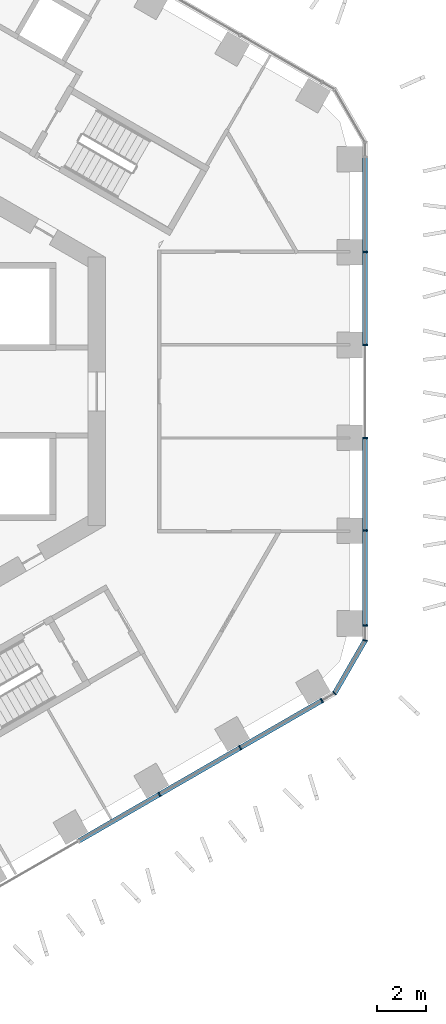
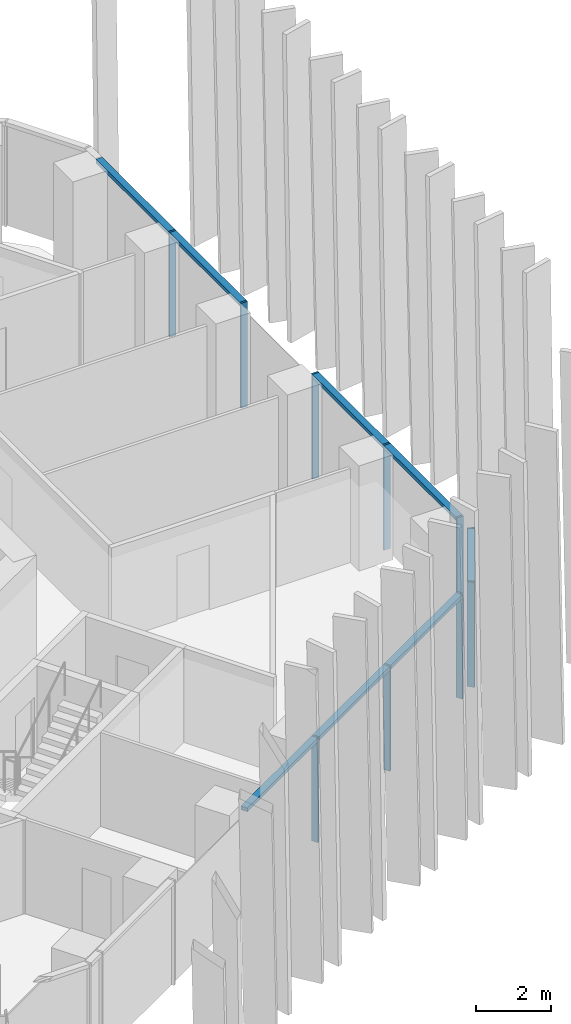
# One storey, part 4 of 18: 14 members, 3 elements without a shape of their own.
"""IFC4 building model written with IfcOpenShell, lengths in metres."""

from ifc_helpers import new_model, si_unit, direction, frame, origin, origin_2d, place, context, subcontext, project, spatial, rectangle, extrude, material, layer, layer_set, material_profile, profile_set, type_object, element, aggregate, save


model = new_model("IFC4")

# Units and contexts
model_context = context("Model", 3, precision=1e-05, world=origin(), true_north=direction((0.0, 1.0)))
body_context = subcontext(model_context, "Body", "Model", "MODEL_VIEW")
ifc_project = project(units=[si_unit("LENGTHUNIT", "METRE"), si_unit("AREAUNIT", "SQUARE_METRE"), si_unit("VOLUMEUNIT", "CUBIC_METRE"), si_unit("PLANEANGLEUNIT", "RADIAN"), si_unit("MASSUNIT", "GRAM", prefix="KILO")], contexts=[model_context])

# Site, building, storey
site_placement = place(None, origin())
site = spatial("IfcSite", under=ifc_project, at=site_placement, CompositionType="ELEMENT")
building_placement = place(site_placement, origin())
building = spatial("IfcBuilding", under=site, at=building_placement, Name="Ayvan Gate Tower", CompositionType="ELEMENT")
storey_placement = place(building_placement, frame((0.0, 0.0, 83.10009765625)))
storey = spatial("IfcBuildingStorey", under=building, at=storey_placement, Name="L21", CompositionType="ELEMENT", Elevation=83.10009765625)

# Curtain wall, members
ifc_material = material(Name="Bronze anodised aluminium", Category="aluminium")
ifc_layer_1 = layer(ifc_material, 0.199951171875)
ifc_layer_set_1 = layer_set([ifc_layer_1], Name="Bronze anodised aluminium")
curtain_wall_type_1 = type_object("IfcCurtainWallType", Name="Stick curtain wall CW-1", PredefinedType="NOTDEFINED", material=ifc_layer_set_1)
curtain_wall_1_placement = place(storey_placement, origin())
curtain_wall_1 = element("IfcCurtainWall", 1, at=curtain_wall_1_placement, inside=storey, type_object=curtain_wall_type_1, Name="Stick curtain wall CW-1 L21", PredefinedType="NOTDEFINED")
ifc_material_profile_1 = material_profile(ifc_material, rectangle(XDim=0.199951171875, YDim=0.06005859375, at=origin_2d()), Name="Stick curtain wall CW-1 mullion 200 x 60")
ifc_profile_set_1 = profile_set([ifc_material_profile_1], Name="Bronze anodised aluminium")
member_type_1 = type_object("IfcMemberType", Name="Stick curtain wall CW-1 mullion 200 x 60", PredefinedType="MULLION", material=ifc_profile_set_1)
member_1_placement = place(storey_placement, frame((11.70654296875, -16.462890625, 0.0), z_axis=(0.0, 0.0, 1.0), x_axis=(0.5, -0.866025403784, 0.0)))
member_1 = element("IfcMember", 2, at=member_1_placement, type_object=member_type_1, Name="CW-1 mullion 4", PredefinedType="MULLION", context=body_context, shape_type="SweptSolid", body=[
    extrude(rectangle(XDim=0.199951171875, YDim=0.06005859375, at=origin_2d()), origin(), (0.0, 0.0, 1.0), 3.39990234375),
])
member_2_placement = place(storey_placement, frame((15.009521484375, -14.555908203125, 0.0), z_axis=(0.0, 0.0, 1.0), x_axis=(0.5, -0.866025403784, 0.0)))
member_2 = element("IfcMember", 3, at=member_2_placement, type_object=member_type_1, Name="CW-1 mullion 5", PredefinedType="MULLION", context=body_context, shape_type="SweptSolid", body=[
    extrude(rectangle(XDim=0.199951171875, YDim=0.06005859375, at=origin_2d()), origin(), (0.0, 0.0, 1.0), 3.39990234375),
])
member_3_placement = place(storey_placement, frame((18.34326171875, -12.631103515625, 0.0), z_axis=(0.0, 0.0, 1.0), x_axis=(0.5, -0.866025403784, 0.0)))
member_3 = element("IfcMember", 4, at=member_3_placement, type_object=member_type_1, Name="CW-1 mullion 6", PredefinedType="MULLION", context=body_context, shape_type="SweptSolid", body=[
    extrude(rectangle(XDim=0.199951171875, YDim=0.06005859375, at=origin_2d()), origin(), (0.0, 0.0, 1.0), 3.39990234375),
])

curtain_wall_2_placement = place(storey_placement, origin())
curtain_wall_2 = element("IfcCurtainWall", 5, at=curtain_wall_2_placement, inside=storey, type_object=curtain_wall_type_1, Name="Stick curtain wall CW-1 L21", PredefinedType="NOTDEFINED")
member_4_placement = place(storey_placement, frame((20.110595703125, -9.5703125, 0.0), z_axis=(0.0, 0.0, 1.0), x_axis=(1.0, 0.0, 0.0)))
member_4 = element("IfcMember", 6, at=member_4_placement, type_object=member_type_1, Name="CW-1 mullion 1", PredefinedType="MULLION", context=body_context, shape_type="SweptSolid", body=[
    extrude(rectangle(XDim=0.199951171875, YDim=0.06005859375, at=origin_2d()), origin(), (0.0, 0.0, 1.0), 3.39990234375),
])
member_5_placement = place(storey_placement, frame((20.110595703125, -5.690185546875, 0.0), z_axis=(0.0, 0.0, 1.0), x_axis=(1.0, 0.0, 0.0)))
member_5 = element("IfcMember", 7, at=member_5_placement, type_object=member_type_1, Name="CW-1 mullion 2", PredefinedType="MULLION", context=body_context, shape_type="SweptSolid", body=[
    extrude(rectangle(XDim=0.199951171875, YDim=0.06005859375, at=origin_2d()), origin(), (0.0, 0.0, 1.0), 3.39990234375),
])
member_6_placement = place(storey_placement, frame((20.110595703125, -1.897216796875, 0.0), z_axis=(0.0, 0.0, 1.0), x_axis=(1.0, 0.0, 0.0)))
member_6 = element("IfcMember", 8, at=member_6_placement, type_object=member_type_1, Name="CW-1 mullion 3", PredefinedType="MULLION", context=body_context, shape_type="SweptSolid", body=[
    extrude(rectangle(XDim=0.199951171875, YDim=0.06005859375, at=origin_2d()), origin(), (0.0, 0.0, 1.0), 3.39990234375),
])
member_7_placement = place(storey_placement, frame((20.110595703125, 1.896728515625, 0.0), z_axis=(0.0, 0.0, 1.0), x_axis=(1.0, 0.0, 0.0)))
member_7 = element("IfcMember", 9, at=member_7_placement, type_object=member_type_1, Name="CW-1 mullion 4", PredefinedType="MULLION", context=body_context, shape_type="SweptSolid", body=[
    extrude(rectangle(XDim=0.199951171875, YDim=0.06005859375, at=origin_2d()), origin(), (0.0, 0.0, 1.0), 3.39990234375),
])
member_8_placement = place(storey_placement, frame((20.110595703125, 5.689697265625, 0.0), z_axis=(0.0, 0.0, 1.0), x_axis=(1.0, 0.0, 0.0)))
member_8 = element("IfcMember", 10, at=member_8_placement, type_object=member_type_1, Name="CW-1 mullion 5", PredefinedType="MULLION", context=body_context, shape_type="SweptSolid", body=[
    extrude(rectangle(XDim=0.199951171875, YDim=0.06005859375, at=origin_2d()), origin(), (0.0, 0.0, 1.0), 3.39990234375),
])

# Member
ifc_material_profile_2 = material_profile(ifc_material, rectangle(XDim=0.199951171875, YDim=0.1201171875, at=origin_2d()), Name="Stick curtain wall CW-1 transom 200 x 120")
ifc_profile_set_2 = profile_set([ifc_material_profile_2], Name="Bronze anodised aluminium")
member_type_2 = type_object("IfcMemberType", Name="Stick curtain wall CW-1 transom 200 x 120", PredefinedType="USERDEFINED", material=ifc_profile_set_2)
member_9_placement = place(storey_placement, frame((8.429443359375, -18.35498046875, 3.33984375), z_axis=(0.866020438933, 0.500008599276, 0.0), x_axis=(-0.500008599276, 0.866020438933, 0.0)))
member_9 = element("IfcMember", 11, at=member_9_placement, type_object=member_type_2, Name="CW-1 transom 2", ObjectType="TRANSOM", PredefinedType="USERDEFINED", context=body_context, shape_type="SweptSolid", body=[
    extrude(rectangle(XDim=0.199951171875, YDim=0.1201171875, at=origin_2d()), origin(), (0.0, 0.0, 1.0), 11.447509765625),
])

aggregate(curtain_wall_1, [member_1, member_2, member_3, member_9])

member_10_placement = place(storey_placement, frame((20.110595703125, -9.5703125, 3.33984375), z_axis=(0.0, 1.0, 0.0), x_axis=(-1.0, 0.0, 0.0)))
member_10 = element("IfcMember", 12, at=member_10_placement, type_object=member_type_2, Name="CW-1 transom 1", ObjectType="TRANSOM", PredefinedType="USERDEFINED", context=body_context, shape_type="SweptSolid", body=[
    extrude(rectangle(XDim=0.199951171875, YDim=0.1201171875, at=origin_2d()), origin(), (0.0, 0.0, 1.0), 7.64306640625),
])

member_11_placement = place(storey_placement, frame((20.110595703125, 1.9267578125, 3.33984375), z_axis=(0.0, 1.0, 0.0), x_axis=(-1.0, 0.0, 0.0)))
member_11 = element("IfcMember", 13, at=member_11_placement, type_object=member_type_2, Name="CW-1 transom 2", ObjectType="TRANSOM", PredefinedType="USERDEFINED", context=body_context, shape_type="SweptSolid", body=[
    extrude(rectangle(XDim=0.199951171875, YDim=0.1201171875, at=origin_2d()), origin(), (0.0, 0.0, 1.0), 7.6435546875),
])

aggregate(curtain_wall_2, [member_4, member_5, member_6, member_7, member_8, member_10, member_11])

# Curtain wall, members
ifc_layer_2 = layer(ifc_material, 0.199951171875)
ifc_layer_set_2 = layer_set([ifc_layer_2], Name="Bronze anodised aluminium")
curtain_wall_type_2 = type_object("IfcCurtainWallType", Name="Stick curtain wall CW-6", PredefinedType="NOTDEFINED", material=ifc_layer_set_2)
curtain_wall_3_placement = place(storey_placement, origin())
curtain_wall_3 = element("IfcCurtainWall", 14, at=curtain_wall_3_placement, inside=storey, type_object=curtain_wall_type_2, Name="Stick curtain wall CW-6 L21", PredefinedType="NOTDEFINED")
ifc_material_profile_3 = material_profile(ifc_material, rectangle(XDim=0.199951171875, YDim=0.050048828125, at=origin_2d()), Name="Stick curtain wall CW-6 mullion 200 x 50")
ifc_profile_set_3 = profile_set([ifc_material_profile_3], Name="Bronze anodised aluminium")
member_type_3 = type_object("IfcMemberType", Name="Stick curtain wall CW-6 mullion 200 x 50", PredefinedType="MULLION", material=ifc_profile_set_3)
member_12_placement = place(storey_placement, frame((18.8671875, -12.32861328125, 0.0), z_axis=(0.0, 0.0, 1.0), x_axis=(0.707106781187, -0.707106781187, 0.0)))
member_12 = element("IfcMember", 15, at=member_12_placement, type_object=member_type_3, Name="CW-6 mullion 2", PredefinedType="MULLION", context=body_context, shape_type="SweptSolid", body=[
    extrude(rectangle(XDim=0.199951171875, YDim=0.050048828125, at=origin_2d()), origin(), (0.0, 0.0, 1.0), 3.39990234375),
])
member_13_placement = place(storey_placement, frame((20.110595703125, -10.17529296875, 0.0), z_axis=(0.0, 0.0, 1.0), x_axis=(0.965925826289, -0.258819045103, 0.0)))
member_13 = element("IfcMember", 16, at=member_13_placement, type_object=member_type_3, Name="CW-6 mullion 3", PredefinedType="MULLION", context=body_context, shape_type="SweptSolid", body=[
    extrude(rectangle(XDim=0.199951171875, YDim=0.050048828125, at=origin_2d()), origin(), (0.0, 0.0, 1.0), 3.39990234375),
])
ifc_material_profile_4 = material_profile(ifc_material, rectangle(XDim=0.199951171875, YDim=0.1201171875, at=origin_2d()), Name="Stick curtain wall CW-6 transom 200 x 120")
ifc_profile_set_4 = profile_set([ifc_material_profile_4], Name="Bronze anodised aluminium")
member_type_4 = type_object("IfcMemberType", Name="Stick curtain wall CW-6 transom 200 x 120", PredefinedType="USERDEFINED", material=ifc_profile_set_4)
member_14_placement = place(storey_placement, frame((18.8798828125, -12.306884765625, 3.33984375), z_axis=(0.499997116, 0.866027068856, 0.0), x_axis=(-0.866027068856, 0.499997116, 0.0)))
member_14 = element("IfcMember", 17, at=member_14_placement, type_object=member_type_4, Name="CW-6 transom 2", ObjectType="TRANSOM", PredefinedType="USERDEFINED", context=body_context, shape_type="SweptSolid", body=[
    extrude(rectangle(XDim=0.199951171875, YDim=0.1201171875, at=origin_2d()), origin(), (0.0, 0.0, 1.0), 2.4365234375),
])
aggregate(curtain_wall_3, [member_12, member_13, member_14])

save(model, "model.ifc")
